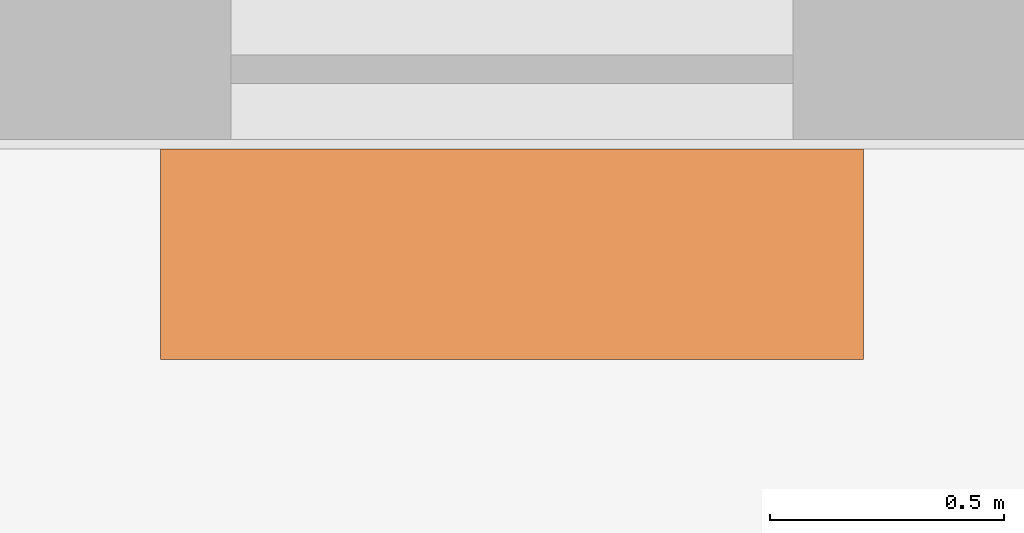
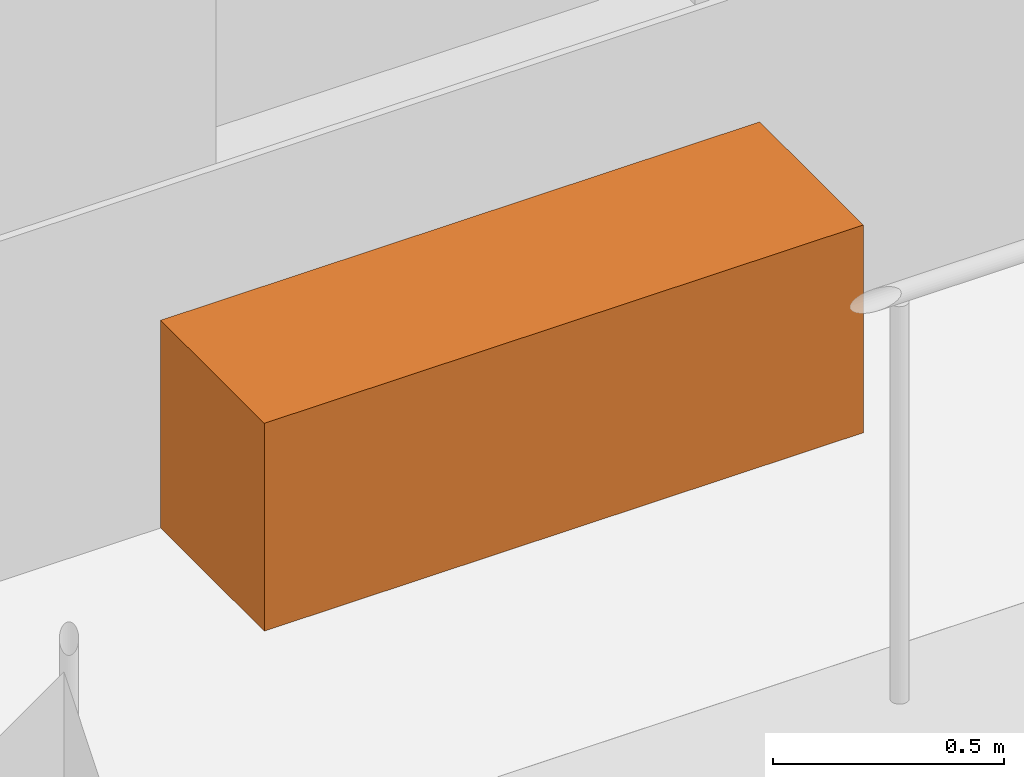
# One storey, part 14 of 14: 1 proxy.
"""IFC4 building model written with IfcOpenShell, lengths in metres."""

from ifc_helpers import new_model, si_unit, direction, frame, origin, origin_2d, place, context, subcontext, project, spatial, rectangle, extrude, element, save


model = new_model("IFC4")

# Units and contexts
model_context = context("Model", 3, precision=1e-05, world=origin(), true_north=direction((0.0, 1.0)))
body_context = subcontext(model_context, "Body", "Model", "MODEL_VIEW")
ifc_project = project(units=[si_unit("LENGTHUNIT", "METRE"), si_unit("AREAUNIT", "SQUARE_METRE"), si_unit("VOLUMEUNIT", "CUBIC_METRE"), si_unit("PLANEANGLEUNIT", "RADIAN"), si_unit("MASSUNIT", "GRAM", prefix="KILO")], contexts=[model_context])

# Site, building, storey
site_placement = place(None, origin())
site = spatial("IfcSite", under=ifc_project, at=site_placement, CompositionType="ELEMENT")
building_placement = place(site_placement, origin())
building = spatial("IfcBuilding", under=site, at=building_placement, Name="Candeia Pilgrim Tower and Theatre", CompositionType="ELEMENT")
storey_placement = place(building_placement, frame((0.0, 0.0, 120.60009765625)))
storey = spatial("IfcBuildingStorey", under=building, at=storey_placement, Name="L28", CompositionType="ELEMENT", Elevation=120.60009765625)

# Proxy
proxy_placement = place(storey_placement, frame((102.89990234375, 99.2548828125, 0.0), z_axis=(0.0, 0.0, 1.0), x_axis=(1.0, 0.0, 0.0)))
element("IfcBuildingElementProxy", 1, at=proxy_placement, inside=storey, Name="Planter", ObjectType="PLANTER", PredefinedType="USERDEFINED", context=body_context, shape_type="SweptSolid", body=[
    extrude(rectangle(XDim=1.5, YDim=0.449951171875, at=origin_2d()), origin(), (0.0, 0.0, 1.0), 0.550048828125),
])

save(model, "model.ifc")
